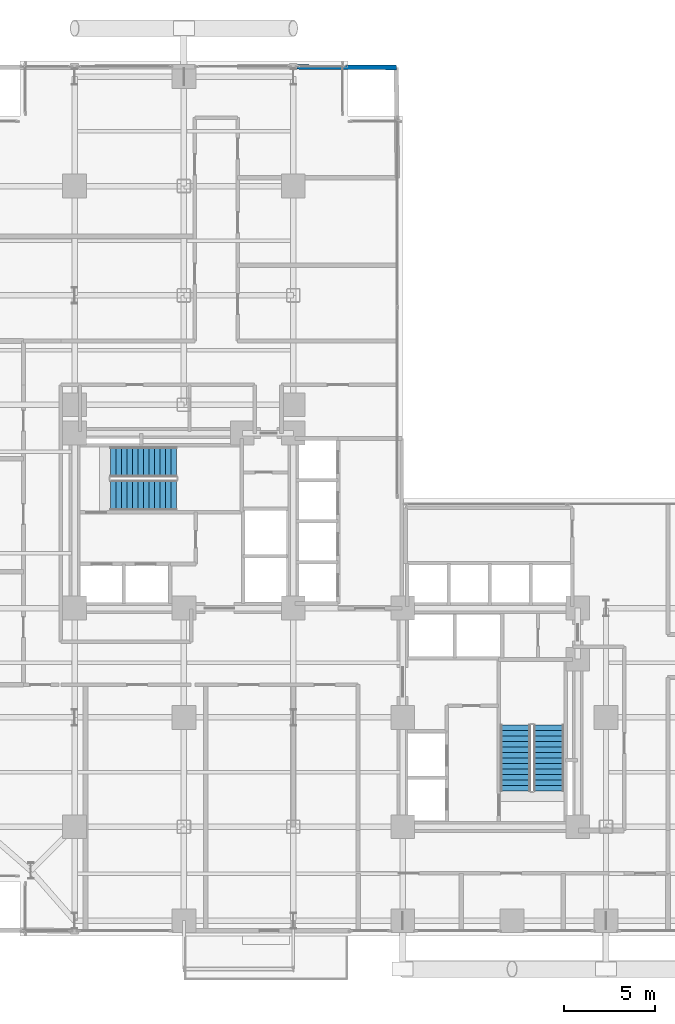
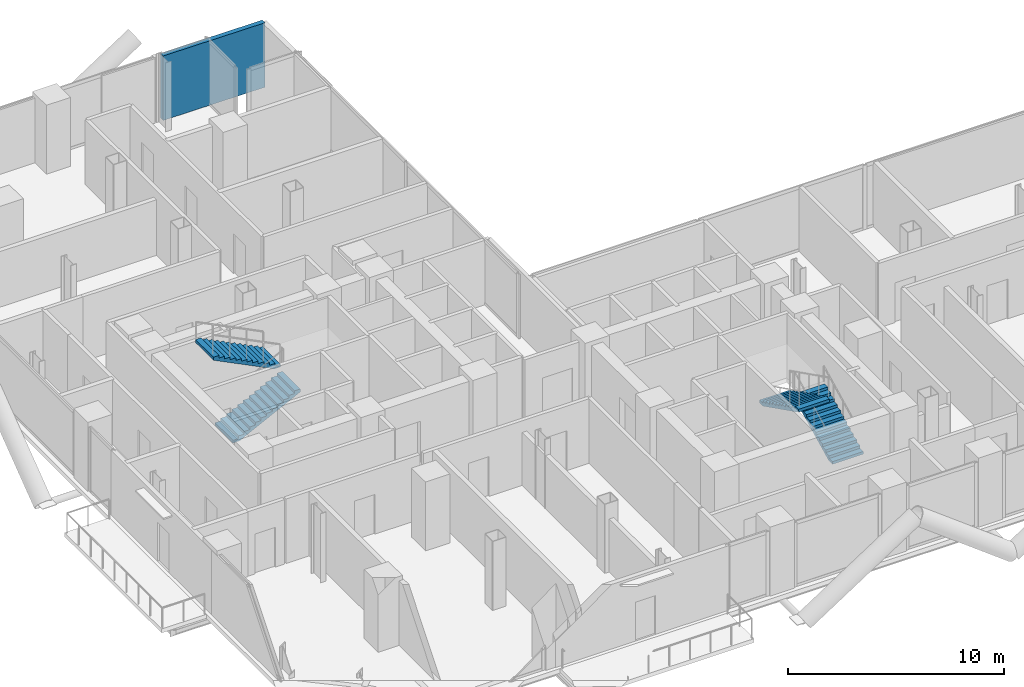
# One storey, part 23 of 25: 4 stair flights, 1 wall, 2 elements without a shape of their own.
"""IFC4 building model written with IfcOpenShell, lengths in metres."""

from ifc_helpers import new_model, si_unit, direction, frame, frame_2d, origin, place, context, subcontext, project, spatial, polyline, rectangle, outline, extrude, material, layer, layer_set, type_object, element, aggregate, save


model = new_model("IFC4")

# Units and contexts
model_context = context("Model", 3, precision=1e-05, world=origin(), true_north=direction((0.0, 1.0)))
body_context = subcontext(model_context, "Body", "Model", "MODEL_VIEW")
ifc_project = project(units=[si_unit("LENGTHUNIT", "METRE"), si_unit("AREAUNIT", "SQUARE_METRE"), si_unit("VOLUMEUNIT", "CUBIC_METRE"), si_unit("PLANEANGLEUNIT", "RADIAN"), si_unit("MASSUNIT", "GRAM", prefix="KILO"), si_unit("THERMODYNAMICTEMPERATUREUNIT", "KELVIN"), si_unit("POWERUNIT", "WATT")], contexts=[model_context])

# Site, building, storey
site_placement = place(None, origin())
site = spatial("IfcSite", under=ifc_project, at=site_placement, CompositionType="ELEMENT")
building_placement = place(site_placement, origin())
building = spatial("IfcBuilding", under=site, at=building_placement, Name="Svarakhadi Broadcast Tower", CompositionType="ELEMENT")
storey_placement = place(building_placement, frame((0.0, 0.0, 83.10009765625)))
storey = spatial("IfcBuildingStorey", under=building, at=storey_placement, Name="L19", CompositionType="ELEMENT", Elevation=83.10009765625)

# Wall
ifc_material_1 = material(Name="Double-Stud Acoustic Studio Partition STC-62", Category="gypsum")
ifc_layer = layer(ifc_material_1, 0.25)
ifc_layer_set = layer_set([ifc_layer], Name="Double-Stud Acoustic Studio Partition STC-62")
wall_type = type_object("IfcWallType", Name="Wall_Acoust_250", PredefinedType="PARTITIONING", material=ifc_layer_set)
wall_placement = place(storey_placement, frame((18.215087890625, 47.68115234375, 0.0), z_axis=(0.0, 0.0, 1.0), x_axis=(0.999983469354, -0.005749871258, 0.0)))
element("IfcWall", 1, at=wall_placement, inside=storey, type_object=wall_type, Name="L19 Agile Scrum Huddle Room Wall", PredefinedType="PARTITIONING", context=body_context, shape_type="SweptSolid", body=[
    extrude(rectangle(XDim=5.434814453125, YDim=0.25, at=frame_2d((2.71728515625, 0.0))), origin(), (0.0, 0.0, 1.0), 3.64990234375),
])

# Stair, stair flights
ifc_material_2 = material(Name="Concrete C40/50 (IS 456 M50)", Category="concrete")
stair_type = type_object("IfcStairType", Name="Stair_Exit_Core", PredefinedType="HALF_TURN_STAIR", material=ifc_material_2)
stair_1_placement = place(storey_placement, origin())
stair_1 = element("IfcStair", 2, at=stair_1_placement, inside=storey, type_object=stair_type, Name="L19 West Core Protected Exit Stair ST-01", PredefinedType="HALF_TURN_STAIR")
stair_flight_type = type_object("IfcStairFlightType", Name="Flight_RC_1680", PredefinedType="STRAIGHT", material=ifc_material_2)
stair_flight_1_placement = place(storey_placement, frame((7.97998046875, 24.18994140625, 0.0), z_axis=(0.0, 0.0, 1.0), x_axis=(1.0, 0.0, 0.0)))
stair_flight_1 = element("IfcStairFlight", 3, at=stair_flight_1_placement, type_object=stair_flight_type, Name="ST-01 flight 1", NumberOfRisers=13, NumberOfTreads=12, PredefinedType="STRAIGHT", RiserHeight=0.15, TreadLength=0.3, context=body_context, shape_type="SweptSolid", body=[
    extrude(outline(polyline([(0.0, 0.0), (0.0, 0.14990234375), (0.300048828125, 0.14990234375), (0.300048828125, 0.300048828125), (0.60009765625, 0.300048828125), (0.60009765625, 0.449951171875), (0.89990234375, 0.449951171875), (0.89990234375, 0.60009765625), (1.199951171875, 0.60009765625), (1.199951171875, 0.75), (1.5, 0.75), (1.5, 0.89990234375), (1.800048828125, 0.89990234375), (1.800048828125, 1.050048828125), (2.10009765625, 1.050048828125), (2.10009765625, 1.199951171875), (2.39990234375, 1.199951171875), (2.39990234375, 1.35009765625), (2.699951171875, 1.35009765625), (2.699951171875, 1.5), (3.0, 1.5), (3.0, 1.64990234375), (3.300048828125, 1.64990234375), (3.300048828125, 1.800048828125), (3.60009765625, 1.800048828125), (3.60009765625, 1.949951171875), (3.60009765625, 1.63232421875), (0.335205078125, 0.0), (0.0, 0.0)])), frame((0.0, 0.830078125, 0.0), z_axis=(0.0, -1.0, 0.0), x_axis=(1.0, 0.0, 0.0)), (0.0, 0.0, 1.0), 1.659912109375),
])
stair_flight_2_placement = place(storey_placement, frame((11.580078125, 26.010009765625, 1.949951171875), z_axis=(0.0, 0.0, 1.0), x_axis=(-1.0, 0.0, 0.0)))
stair_flight_2 = element("IfcStairFlight", 4, at=stair_flight_2_placement, type_object=stair_flight_type, Name="ST-01 flight 2", NumberOfRisers=13, NumberOfTreads=12, PredefinedType="STRAIGHT", RiserHeight=0.15, TreadLength=0.3, context=body_context, shape_type="SweptSolid", body=[
    extrude(outline(polyline([(0.0, 0.0), (0.0, 0.14990234375), (0.300048828125, 0.14990234375), (0.300048828125, 0.300048828125), (0.60009765625, 0.300048828125), (0.60009765625, 0.449951171875), (0.89990234375, 0.449951171875), (0.89990234375, 0.60009765625), (1.199951171875, 0.60009765625), (1.199951171875, 0.75), (1.5, 0.75), (1.5, 0.89990234375), (1.800048828125, 0.89990234375), (1.800048828125, 1.050048828125), (2.10009765625, 1.050048828125), (2.10009765625, 1.199951171875), (2.39990234375, 1.199951171875), (2.39990234375, 1.35009765625), (2.699951171875, 1.35009765625), (2.699951171875, 1.5), (3.0, 1.5), (3.0, 1.64990234375), (3.300048828125, 1.64990234375), (3.300048828125, 1.800048828125), (3.60009765625, 1.800048828125), (3.60009765625, 1.949951171875), (3.60009765625, 1.63232421875), (0.335205078125, 0.0), (0.0, 0.0)])), frame((0.0, 0.830078125, 0.0), z_axis=(0.0, -1.0, 0.0), x_axis=(1.0, 0.0, 0.0)), (0.0, 0.0, 1.0), 1.659912109375),
])
aggregate(stair_1, [stair_flight_1, stair_flight_2])

stair_2_placement = place(storey_placement, origin())
stair_2 = element("IfcStair", 5, at=stair_2_placement, inside=storey, type_object=stair_type, Name="L19 East Core Protected Exit Stair ST-02", PredefinedType="HALF_TURN_STAIR")
stair_flight_3_placement = place(storey_placement, frame((32.010009765625, 7.97998046875, 0.0), z_axis=(0.0, 0.0, 1.0), x_axis=(0.0, 1.0, 0.0)))
stair_flight_3 = element("IfcStairFlight", 6, at=stair_flight_3_placement, type_object=stair_flight_type, Name="ST-02 flight 1", NumberOfRisers=13, NumberOfTreads=12, PredefinedType="STRAIGHT", RiserHeight=0.15, TreadLength=0.3, context=body_context, shape_type="SweptSolid", body=[
    extrude(outline(polyline([(0.0, 0.0), (0.0, 0.14990234375), (0.300048828125, 0.14990234375), (0.300048828125, 0.300048828125), (0.60009765625, 0.300048828125), (0.60009765625, 0.449951171875), (0.89990234375, 0.449951171875), (0.89990234375, 0.60009765625), (1.199951171875, 0.60009765625), (1.199951171875, 0.75), (1.5, 0.75), (1.5, 0.89990234375), (1.800048828125, 0.89990234375), (1.800048828125, 1.050048828125), (2.10009765625, 1.050048828125), (2.10009765625, 1.199951171875), (2.39990234375, 1.199951171875), (2.39990234375, 1.35009765625), (2.699951171875, 1.35009765625), (2.699951171875, 1.5), (3.0, 1.5), (3.0, 1.64990234375), (3.300048828125, 1.64990234375), (3.300048828125, 1.800048828125), (3.60009765625, 1.800048828125), (3.60009765625, 1.949951171875), (3.60009765625, 1.63232421875), (0.335205078125, 0.0), (0.0, 0.0)])), frame((0.0, 0.830078125, 0.0), z_axis=(0.0, -1.0, 0.0), x_axis=(1.0, 0.0, 0.0)), (0.0, 0.0, 1.0), 1.659912109375),
])
stair_flight_4_placement = place(storey_placement, frame((30.18994140625, 11.580078125, 1.949951171875), z_axis=(0.0, 0.0, 1.0), x_axis=(0.0, -1.0, 0.0)))
stair_flight_4 = element("IfcStairFlight", 7, at=stair_flight_4_placement, type_object=stair_flight_type, Name="ST-02 flight 2", NumberOfRisers=13, NumberOfTreads=12, PredefinedType="STRAIGHT", RiserHeight=0.15, TreadLength=0.3, context=body_context, shape_type="SweptSolid", body=[
    extrude(outline(polyline([(0.0, 0.0), (0.0, 0.14990234375), (0.300048828125, 0.14990234375), (0.300048828125, 0.300048828125), (0.60009765625, 0.300048828125), (0.60009765625, 0.449951171875), (0.89990234375, 0.449951171875), (0.89990234375, 0.60009765625), (1.199951171875, 0.60009765625), (1.199951171875, 0.75), (1.5, 0.75), (1.5, 0.89990234375), (1.800048828125, 0.89990234375), (1.800048828125, 1.050048828125), (2.10009765625, 1.050048828125), (2.10009765625, 1.199951171875), (2.39990234375, 1.199951171875), (2.39990234375, 1.35009765625), (2.699951171875, 1.35009765625), (2.699951171875, 1.5), (3.0, 1.5), (3.0, 1.64990234375), (3.300048828125, 1.64990234375), (3.300048828125, 1.800048828125), (3.60009765625, 1.800048828125), (3.60009765625, 1.949951171875), (3.60009765625, 1.63232421875), (0.335205078125, 0.0), (0.0, 0.0)])), frame((0.0, 0.830078125, 0.0), z_axis=(0.0, -1.0, 0.0), x_axis=(1.0, 0.0, 0.0)), (0.0, 0.0, 1.0), 1.659912109375),
])
aggregate(stair_2, [stair_flight_3, stair_flight_4])

save(model, "model.ifc")
